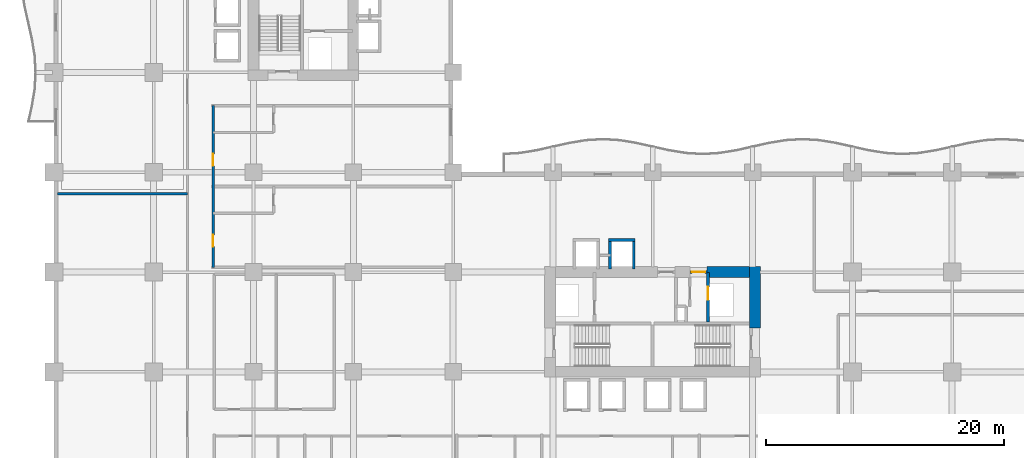
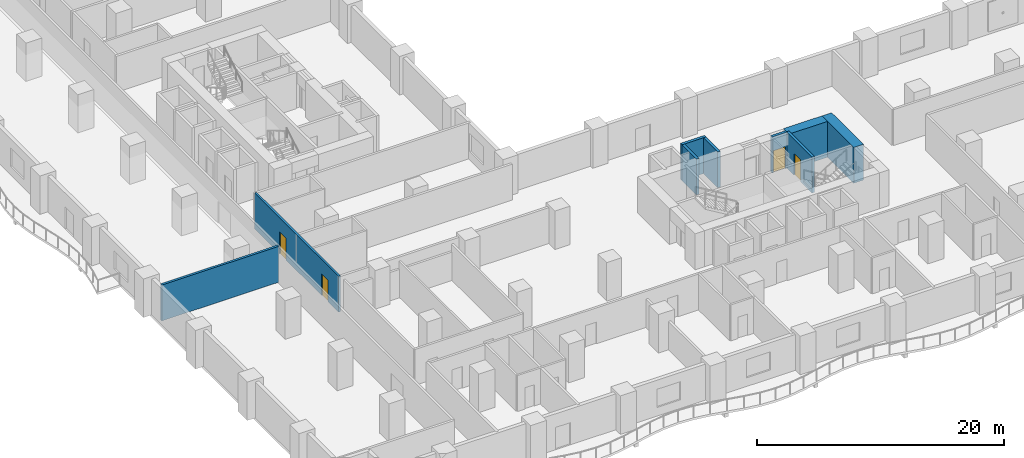
# One storey, part 13 of 27: 9 walls, 4 doors, 4 openings.
"""IFC4 building model written with IfcOpenShell, lengths in metres."""

from ifc_helpers import new_model, si_unit, direction, frame, frame_2d, origin, place, context, subcontext, project, spatial, rectangle, extrude, material, layer, layer_set, type_object, element, fill, save


model = new_model("IFC4")

# Units and contexts
model_context = context("Model", 3, precision=1e-05, world=origin(), true_north=direction((0.0, 1.0)))
body_context = subcontext(model_context, "Body", "Model", "MODEL_VIEW")
ifc_project = project(units=[si_unit("LENGTHUNIT", "METRE"), si_unit("AREAUNIT", "SQUARE_METRE"), si_unit("VOLUMEUNIT", "CUBIC_METRE"), si_unit("PLANEANGLEUNIT", "RADIAN"), si_unit("MASSUNIT", "GRAM", prefix="KILO")], contexts=[model_context])

# Site, building, storey
site_placement = place(None, origin())
site = spatial("IfcSite", under=ifc_project, at=site_placement, CompositionType="ELEMENT")
building_placement = place(site_placement, origin())
building = spatial("IfcBuilding", under=site, at=building_placement, Name="Koriwani Terraces Tower", CompositionType="ELEMENT")
storey_placement = place(building_placement, frame((0.0, 0.0, 54.800048828125)))
storey = spatial("IfcBuildingStorey", under=building, at=storey_placement, Name="L12", CompositionType="ELEMENT", Elevation=54.800048828125)

# Walls
ifc_material_1 = material(Name="Concrete C60/75", Category="concrete")
ifc_layer_1 = layer(ifc_material_1, 0.89990234375, Name="Concrete C60/75")
ifc_layer_set_1 = layer_set([ifc_layer_1], Name="Concrete C60/75")
wall_type_1 = type_object("IfcWallType", Name="WALL_CORE_RC_900", PredefinedType="SHEAR", material=ifc_layer_set_1)
wall_1_placement = place(storey_placement, frame((59.0, 20.5, 0.0), z_axis=(0.0, 0.0, 1.0), x_axis=(0.0, 1.0, 0.0)))
element("IfcWall", 1, at=wall_1_placement, inside=storey, type_object=wall_type_1, Name="L12 East Split Core Shear Wall E2", PredefinedType="SHEAR", context=body_context, shape_type="SweptSolid", body=[
    extrude(rectangle(XDim=5.14990234375, YDim=0.89990234375, at=frame_2d((2.574951171875, 0.0))), origin(), (0.0, 0.0, 1.0), 3.550048828125),
])
wall_2_placement = place(storey_placement, frame((54.949951171875, 25.199951171875, 0.0), z_axis=(0.0, 0.0, 1.0), x_axis=(1.0, 0.0, 0.0)))
element("IfcWall", 2, at=wall_2_placement, inside=storey, type_object=wall_type_1, Name="L12 East Split Core Shear Wall N3", PredefinedType="SHEAR", context=body_context, shape_type="SweptSolid", body=[
    extrude(rectangle(XDim=3.60009765625, YDim=0.89990234375, at=frame_2d((1.800048828125, 0.0))), origin(), (0.0, 0.0, 1.0), 3.550048828125),
])

# Wall, openings, doors
ifc_material_2 = material(Name="Autoclaved Cellular Concrete Blockwork", Category="masonry")
ifc_layer_2 = layer(ifc_material_2, 0.199951171875, Name="Autoclaved Cellular Concrete Blockwork")
ifc_layer_set_2 = layer_set([ifc_layer_2], Name="Autoclaved Cellular Concrete Blockwork")
wall_type_2 = type_object("IfcWallType", Name="WALL_CORRIDOR_200", PredefinedType="PARTITIONING", material=ifc_layer_set_2)
wall_3_placement = place(storey_placement, frame((13.39990234375, 25.60009765625, 0.0), z_axis=(0.0, 0.0, 1.0), x_axis=(0.0, 1.0, 0.0)))
wall_3 = element("IfcWall", 3, at=wall_3_placement, inside=storey, type_object=wall_type_2, Name="L12 Interior Wall WCOR-L12-NWI-0", PredefinedType="PARTITIONING", context=body_context, shape_type="SweptSolid", body=[
    extrude(rectangle(XDim=13.599853515625, YDim=0.199951171875, at=frame_2d((6.7998046875, 0.0))), origin(), (0.0, 0.0, 1.0), 3.550048828125),
])
opening_1_placement = place(wall_3_placement, frame((1.735107421875, 0.0, 0.0)))
opening_1 = element("IfcOpeningElement", 4, at=opening_1_placement, cuts=wall_3, Name="Opening D-05", PredefinedType="OPENING", context=body_context, shape_type="SweptSolid", body=[
    extrude(rectangle(XDim=1.0, YDim=2.14990234375, at=frame_2d((0.5, 1.074951171875))), frame((0.0, 0.10986328125, 0.0), z_axis=(0.0, -1.0, 0.0), x_axis=(1.0, 0.0, 0.0)), (0.0, 0.0, 1.0), 0.219970703125),
])
opening_2_placement = place(wall_3_placement, frame((8.534912109375, 0.0, 0.0)))
opening_2 = element("IfcOpeningElement", 5, at=opening_2_placement, cuts=wall_3, Name="Opening D-05", PredefinedType="OPENING", context=body_context, shape_type="SweptSolid", body=[
    extrude(rectangle(XDim=1.0, YDim=2.14990234375, at=frame_2d((0.5, 1.074951171875))), frame((0.0, 0.10986328125, 0.0), z_axis=(0.0, -1.0, 0.0), x_axis=(1.0, 0.0, 0.0)), (0.0, 0.0, 1.0), 0.219970703125),
])
ifc_material_3 = material(Name="Architectural Oak Fire Door", Category="wood")
door_type_1 = type_object("IfcDoorType", Name="DOOR_SUITE_ENTRY_1000X2150", OperationType="NOTDEFINED", PredefinedType="DOOR", material=ifc_material_3)
door_1_placement = place(opening_1_placement, origin())
door_1 = element("IfcDoor", 6, at=door_1_placement, inside=storey, type_object=door_type_1, Name="Luxury Hotel Suite 12NWI1 Entrance Door", OperationType="SINGLE_SWING_RIGHT", OverallHeight=2.14990234375, OverallWidth=1.0, PredefinedType="DOOR", context=body_context, shape_type="SweptSolid", body=[
    extrude(rectangle(XDim=1.0, YDim=2.14990234375, at=frame_2d((0.5, 1.074951171875))), frame((0.0, 0.02490234375, 0.0), z_axis=(0.0, -1.0, 0.0), x_axis=(1.0, 0.0, 0.0)), (0.0, 0.0, 1.0), 0.050048828125),
])
fill(opening_1, door_1)
door_2_placement = place(opening_2_placement, origin())
door_2 = element("IfcDoor", 7, at=door_2_placement, inside=storey, type_object=door_type_1, Name="Luxury Hotel Suite 12NWI2 Entrance Door", OperationType="SINGLE_SWING_RIGHT", OverallHeight=2.14990234375, OverallWidth=1.0, PredefinedType="DOOR", context=body_context, shape_type="SweptSolid", body=[
    extrude(rectangle(XDim=1.0, YDim=2.14990234375, at=frame_2d((0.5, 1.074951171875))), frame((0.0, 0.02490234375, 0.0), z_axis=(0.0, -1.0, 0.0), x_axis=(1.0, 0.0, 0.0)), (0.0, 0.0, 1.0), 0.050048828125),
])
fill(opening_2, door_2)

# Wall
ifc_layer_3 = layer(ifc_material_2, 0.219970703125, Name="Autoclaved Cellular Concrete Blockwork")
ifc_layer_set_3 = layer_set([ifc_layer_3], Name="Autoclaved Cellular Concrete Blockwork")
wall_type_3 = type_object("IfcWallType", Name="WALL_DEMISING_220", PredefinedType="PARTITIONING", material=ifc_layer_set_3)
wall_4_placement = place(storey_placement, frame((0.300048828125, 31.800048828125, 0.0), z_axis=(0.0, 0.0, 1.0), x_axis=(1.0, 0.0, 0.0)))
element("IfcWall", 8, at=wall_4_placement, inside=storey, type_object=wall_type_3, Name="L12 Interior Wall WZ1NWCLM-L12", PredefinedType="PARTITIONING", context=body_context, shape_type="SweptSolid", body=[
    extrude(rectangle(XDim=10.949951171875, YDim=0.219970703125, at=frame_2d((5.47509765625, 0.0))), origin(), (0.0, 0.0, 1.0), 3.550048828125),
])

# Wall, opening, door
ifc_material_4 = material(Name="Concrete C40/50", Category="concrete")
ifc_layer_4 = layer(ifc_material_4, 0.25, Name="Concrete C40/50")
ifc_layer_set_4 = layer_set([ifc_layer_4], Name="Concrete C40/50")
wall_type_4 = type_object("IfcWallType", Name="WALL_SHAFT_RATED_250", PredefinedType="SOLIDWALL", material=ifc_layer_set_4)
wall_5_placement = place(storey_placement, frame((55.050048828125, 21.0, 0.0), z_axis=(0.0, 0.0, 1.0), x_axis=(0.0, 1.0, 0.0)))
wall_5 = element("IfcWall", 9, at=wall_5_placement, inside=storey, type_object=wall_type_4, Name="L12 Interior Wall WIN-CE-L12-SE", PredefinedType="SOLIDWALL", context=body_context, shape_type="SweptSolid", body=[
    extrude(rectangle(XDim=4.14990234375, YDim=0.25, at=frame_2d((2.074951171875, 0.0))), origin(), (0.0, 0.0, 1.0), 3.550048828125),
])
opening_3_placement = place(wall_5_placement, frame((1.85009765625, 0.0, 0.0)))
opening_3 = element("IfcOpeningElement", 10, at=opening_3_placement, cuts=wall_5, Name="Opening LD-01", PredefinedType="OPENING", context=body_context, shape_type="SweptSolid", body=[
    extrude(rectangle(XDim=1.10009765625, YDim=2.14990234375, at=frame_2d((0.550048828125, 1.074951171875))), frame((0.0, 0.135009765625, 0.0), z_axis=(0.0, -1.0, 0.0), x_axis=(1.0, 0.0, 0.0)), (0.0, 0.0, 1.0), 0.27001953125),
])
ifc_material_5 = material(Name="Steel ASTM A572 Grade 50", Category="steel")
door_type_2 = type_object("IfcDoorType", Name="DOOR_LIFT_LANDING_1100X2200", OperationType="NOTDEFINED", PredefinedType="DOOR", material=ifc_material_5)
door_3_placement = place(opening_3_placement, origin())
door_3 = element("IfcDoor", 11, at=door_3_placement, inside=storey, type_object=door_type_2, Name="L12 Goods Lift SE-02 Landing Door", OperationType="SLIDING_TO_LEFT", OverallHeight=2.14990234375, OverallWidth=1.10009765625, PredefinedType="DOOR", context=body_context, shape_type="SweptSolid", body=[
    extrude(rectangle(XDim=1.10009765625, YDim=2.14990234375, at=frame_2d((0.550048828125, 1.074951171875))), frame((0.0, 0.02490234375, 0.0), z_axis=(0.0, -1.0, 0.0), x_axis=(1.0, 0.0, 0.0)), (0.0, 0.0, 1.0), 0.050048828125),
])
fill(opening_3, door_3)

wall_6_placement = place(storey_placement, frame((53.550048828125, 25.199951171875, 0.0), z_axis=(0.0, 0.0, 1.0), x_axis=(1.0, 0.0, 0.0)))
wall_6 = element("IfcWall", 12, at=wall_6_placement, inside=storey, type_object=wall_type_4, Name="L12 Interior Wall WIN-CE-L12-NP2", PredefinedType="SOLIDWALL", context=body_context, shape_type="SweptSolid", body=[
    extrude(rectangle(XDim=1.39990234375, YDim=0.25, at=frame_2d((0.699951171875, 0.0))), origin(), (0.0, 0.0, 1.0), 3.550048828125),
])
opening_4_placement = place(wall_6_placement, frame((0.14990234375, 0.0, 0.0)))
opening_4 = element("IfcOpeningElement", 13, at=opening_4_placement, cuts=wall_6, Name="Opening D-03", PredefinedType="OPENING", context=body_context, shape_type="SweptSolid", body=[
    extrude(rectangle(XDim=1.10009765625, YDim=2.14990234375, at=frame_2d((0.550048828125, 1.074951171875))), frame((0.0, 0.135009765625, 0.0), z_axis=(0.0, -1.0, 0.0), x_axis=(1.0, 0.0, 0.0)), (0.0, 0.0, 1.0), 0.27001953125),
])
door_type_3 = type_object("IfcDoorType", Name="DOOR_STAIR_FIRE_1100X2150", OperationType="NOTDEFINED", PredefinedType="DOOR", material=ifc_material_5)
door_4_placement = place(opening_4_placement, origin())
door_4 = element("IfcDoor", 14, at=door_4_placement, inside=storey, type_object=door_type_3, Name="L12 East Goods Lift Lobby Door", OperationType="SINGLE_SWING_RIGHT", OverallHeight=2.14990234375, OverallWidth=1.10009765625, PredefinedType="DOOR", context=body_context, shape_type="SweptSolid", body=[
    extrude(rectangle(XDim=1.10009765625, YDim=2.14990234375, at=frame_2d((0.550048828125, 1.074951171875))), frame((0.0, 0.02490234375, 0.0), z_axis=(0.0, -1.0, 0.0), x_axis=(1.0, 0.0, 0.0)), (0.0, 0.0, 1.0), 0.050048828125),
])
fill(opening_4, door_4)

# Walls
wall_7_placement = place(storey_placement, frame((46.675048828125, 27.89990234375, 0.0), z_axis=(0.0, 0.0, 1.0), x_axis=(1.0, 0.0, 0.0)))
element("IfcWall", 15, at=wall_7_placement, inside=storey, type_object=wall_type_4, Name="L12 Interior Wall WIN-LF-PE-H4-L12-F", PredefinedType="SOLIDWALL", context=body_context, shape_type="SweptSolid", body=[
    extrude(rectangle(XDim=2.25, YDim=0.25, at=frame_2d((1.125, 0.0))), origin(), (0.0, 0.0, 1.0), 3.550048828125),
])
for number, where, z_axis, x_axis, name in (
    (16, (46.800048828125, 25.449951171875, 0.0), (0.0, 0.0, 1.0), (0.0, 1.0, 0.0), "L12 Interior Wall WIN-LF-PE-H4-L12-W"),
    (17, (48.800048828125, 25.449951171875, 0.0), (0.0, 0.0, 1.0), (0.0, 1.0, 0.0), "L12 Interior Wall WIN-LF-PE-H4-L12-E"),
):
    element("IfcWall", number, at=place(storey_placement, frame(where, z_axis=z_axis, x_axis=x_axis)), inside=storey, type_object=wall_type_4, Name=name, PredefinedType="SOLIDWALL", context=body_context, shape_type="SweptSolid", body=[
        extrude(rectangle(XDim=2.324951171875, YDim=0.25, at=frame_2d((1.16259765625, 0.0))), origin(), (0.0, 0.0, 1.0), 3.550048828125),
    ])

save(model, "model.ifc")
